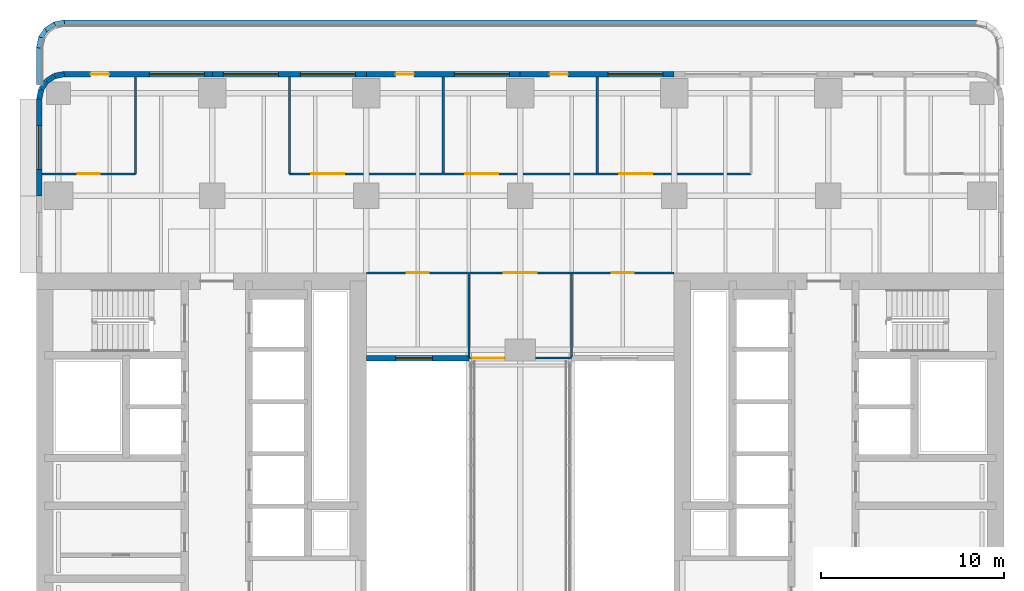
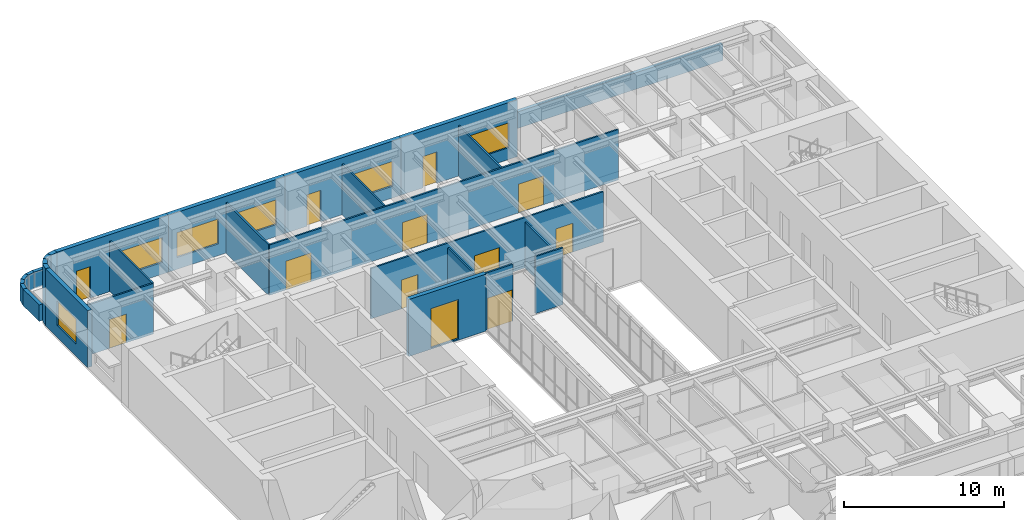
# One storey, part 11 of 17: 27 walls, 11 doors, 7 windows, 18 openings.
"""IFC4 building model written with IfcOpenShell, lengths in metres."""

from ifc_helpers import new_model, si_unit, direction, frame, frame_2d, origin, place, context, subcontext, project, spatial, rectangle, extrude, material, layer, layer_set, type_object, element, fill, save


model = new_model("IFC4")

# Units and contexts
model_context = context("Model", 3, precision=1e-05, world=origin(), true_north=direction((0.0, 1.0)))
body_context = subcontext(model_context, "Body", "Model", "MODEL_VIEW")
ifc_project = project(units=[si_unit("LENGTHUNIT", "METRE"), si_unit("AREAUNIT", "SQUARE_METRE"), si_unit("VOLUMEUNIT", "CUBIC_METRE"), si_unit("PLANEANGLEUNIT", "RADIAN"), si_unit("MASSUNIT", "GRAM", prefix="KILO")], contexts=[model_context])

# Site, building, storey
site_placement = place(None, origin())
site = spatial("IfcSite", under=ifc_project, at=site_placement, CompositionType="ELEMENT")
building_placement = place(site_placement, origin())
building = spatial("IfcBuilding", under=site, at=building_placement, Name="Claustro Exchange Tower", CompositionType="ELEMENT")
storey_placement = place(building_placement, frame((0.0, 0.0, 96.300048828125)))
storey = spatial("IfcBuildingStorey", under=building, at=storey_placement, Name="L21", CompositionType="ELEMENT", Elevation=96.300048828125)

# Wall, opening, door
ifc_material_1 = material(Name="Aluminium frame, clear double glazing", Category="aluminium")
ifc_layer_1 = layer(ifc_material_1, 0.1201171875)
ifc_layer_set_1 = layer_set([ifc_layer_1], Name="Aluminium frame, clear double glazing")
wall_type_1 = type_object("IfcWallType", Name="GS2 120 glazed bridge screen", PredefinedType="SOLIDWALL", material=ifc_layer_set_1)
wall_1_placement = place(storey_placement, frame((22.39990234375, 33.14990234375, 0.0), z_axis=(0.0, 0.0, 1.0), x_axis=(1.0, 0.0, 0.0)))
wall_1 = element("IfcWall", 1, at=wall_1_placement, inside=storey, type_object=wall_type_1, Name="Bridge screen GS2 L21", PredefinedType="SOLIDWALL", context=body_context, shape_type="SweptSolid", body=[
    extrude(rectangle(XDim=1.97509765625, YDim=0.1201171875, at=frame_2d((0.987548828125, 0.0))), origin(), (0.0, 0.0, 1.0), 4.349853515625),
])
opening_1_placement = place(wall_1_placement, frame((0.14990234375, 0.0, 0.0)))
opening_1 = element("IfcOpeningElement", 2, at=opening_1_placement, cuts=wall_1, Name="Opening DE4", PredefinedType="OPENING", context=body_context, shape_type="SweptSolid", body=[
    extrude(rectangle(XDim=1.800048828125, YDim=2.39990234375, at=frame_2d((0.89990234375, 1.199951171875))), frame((0.0, 0.070068359375, 0.0), z_axis=(0.0, -1.0, 0.0), x_axis=(1.0, 0.0, 0.0)), (0.0, 0.0, 1.0), 0.14013671875),
])
ifc_material_2 = material(Name="Aluminium frame, clear double glazing", Category="aluminium")
door_type_1 = type_object("IfcDoorType", Name="DE4 1800 x 2400 sky bridge glazed double door", OperationType="DOUBLE_DOOR_SINGLE_SWING", PredefinedType="DOOR", material=ifc_material_2)
door_1_placement = place(opening_1_placement, origin())
door_1 = element("IfcDoor", 3, at=door_1_placement, inside=storey, type_object=door_type_1, Name="Sky bridge door DE4 L21", OperationType="DOUBLE_DOOR_SINGLE_SWING", OverallHeight=2.39990234375, OverallWidth=1.800048828125, PredefinedType="DOOR", context=body_context, shape_type="SweptSolid", body=[
    extrude(rectangle(XDim=1.800048828125, YDim=2.39990234375, at=frame_2d((0.89990234375, 1.199951171875))), frame((0.0, 0.02490234375, 0.0), z_axis=(0.0, -1.0, 0.0), x_axis=(1.0, 0.0, 0.0)), (0.0, 0.0, 1.0), 0.050048828125),
])
fill(opening_1, door_1)

# Wall
wall_2_placement = place(storey_placement, frame((26.02490234375, 33.14990234375, 0.0), z_axis=(0.0, 0.0, 1.0), x_axis=(1.0, 0.0, 0.0)))
element("IfcWall", 4, at=wall_2_placement, inside=storey, type_object=wall_type_1, Name="Bridge screen GS2 L21", PredefinedType="SOLIDWALL", context=body_context, shape_type="SweptSolid", body=[
    extrude(rectangle(XDim=1.97509765625, YDim=0.1201171875, at=frame_2d((0.987548828125, 0.0))), origin(), (0.0, 0.0, 1.0), 4.349853515625),
])

# Wall, opening, door
ifc_material_3 = material(Name="Laminated glass in aluminium frame", Category="aluminium")
ifc_layer_2 = layer(ifc_material_3, 0.1201171875)
ifc_layer_set_2 = layer_set([ifc_layer_2], Name="Laminated glass in aluminium frame")
wall_type_2 = type_object("IfcWallType", Name="P2 120 glazed partition", PredefinedType="PARTITIONING", material=ifc_layer_set_2)
wall_3_placement = place(storey_placement, frame((-0.902099609375, 43.199951171875, 0.0), z_axis=(0.0, 0.0, 1.0), x_axis=(1.0, 0.0, 0.0)))
wall_3 = element("IfcWall", 5, at=wall_3_placement, inside=storey, type_object=wall_type_2, Name="Partition P2 L21", PredefinedType="PARTITIONING", context=body_context, shape_type="SweptSolid", body=[
    extrude(rectangle(XDim=5.10205078125, YDim=0.1201171875, at=frame_2d((2.551025390625, 0.0))), origin(), (0.0, 0.0, 1.0), 3.85986328125),
])
opening_2_placement = place(wall_3_placement, frame((1.951904296875, 0.0, 0.0)))
opening_2 = element("IfcOpeningElement", 6, at=opening_2_placement, cuts=wall_3, Name="Opening D6", PredefinedType="OPENING", context=body_context, shape_type="SweptSolid", body=[
    extrude(rectangle(XDim=1.199951171875, YDim=2.199951171875, at=frame_2d((0.60009765625, 1.10009765625))), frame((0.0, 0.070068359375, 0.0), z_axis=(0.0, -1.0, 0.0), x_axis=(1.0, 0.0, 0.0)), (0.0, 0.0, 1.0), 0.14013671875),
])
ifc_material_4 = material(Name="Timber door, oak veneer", Category="wood")
door_type_2 = type_object("IfcDoorType", Name="D6 1200 x 2200 unequal pair door", OperationType="DOUBLE_DOOR_SINGLE_SWING_OPPOSITE_LEFT", PredefinedType="DOOR", material=ifc_material_4)
door_2_placement = place(opening_2_placement, origin())
door_2 = element("IfcDoor", 7, at=door_2_placement, inside=storey, type_object=door_type_2, Name="Door D6 L21", OperationType="DOUBLE_DOOR_SINGLE_SWING_OPPOSITE_LEFT", OverallHeight=2.199951171875, OverallWidth=1.199951171875, PredefinedType="DOOR", context=body_context, shape_type="SweptSolid", body=[
    extrude(rectangle(XDim=1.199951171875, YDim=2.199951171875, at=frame_2d((0.60009765625, 1.10009765625))), frame((0.0, 0.02490234375, 0.0), z_axis=(0.0, -1.0, 0.0), x_axis=(1.0, 0.0, 0.0)), (0.0, 0.0, 1.0), 0.050048828125),
])
fill(opening_2, door_2)

# Wall
wall_4_placement = place(storey_placement, frame((4.199951171875, 43.199951171875, 0.0), z_axis=(0.0, 0.0, 1.0), x_axis=(0.0, 1.0, 0.0)))
element("IfcWall", 8, at=wall_4_placement, inside=storey, type_object=wall_type_2, Name="Partition P2 L21", PredefinedType="PARTITIONING", context=body_context, shape_type="SweptSolid", body=[
    extrude(rectangle(XDim=5.302001953125, YDim=0.1201171875, at=frame_2d((2.65087890625, 0.0))), origin(), (0.0, 0.0, 1.0), 3.85986328125),
])

# Wall, openings, doors
wall_5_placement = place(storey_placement, frame((12.60009765625, 43.199951171875, 0.0), z_axis=(0.0, 0.0, 1.0), x_axis=(1.0, 0.0, 0.0)))
wall_5 = element("IfcWall", 9, at=wall_5_placement, inside=storey, type_object=wall_type_2, Name="Partition P2 L21", PredefinedType="PARTITIONING", context=body_context, shape_type="SweptSolid", body=[
    extrude(rectangle(XDim=25.199951171875, YDim=0.1201171875, at=frame_2d((12.60009765625, 0.0))), origin(), (0.0, 0.0, 1.0), 3.849853515625),
])
opening_3_placement = place(wall_5_placement, frame((1.199951171875, 0.0, 0.0)))
opening_3 = element("IfcOpeningElement", 10, at=opening_3_placement, cuts=wall_5, Name="Opening D2", PredefinedType="OPENING", context=body_context, shape_type="SweptSolid", body=[
    extrude(rectangle(XDim=1.800048828125, YDim=2.199951171875, at=frame_2d((0.89990234375, 1.10009765625))), frame((0.0, 0.070068359375, 0.0), z_axis=(0.0, -1.0, 0.0), x_axis=(1.0, 0.0, 0.0)), (0.0, 0.0, 1.0), 0.14013671875),
])
opening_4_placement = place(wall_5_placement, frame((9.60009765625, 0.0, 0.0)))
opening_4 = element("IfcOpeningElement", 11, at=opening_4_placement, cuts=wall_5, Name="Opening D2", PredefinedType="OPENING", context=body_context, shape_type="SweptSolid", body=[
    extrude(rectangle(XDim=1.800048828125, YDim=2.199951171875, at=frame_2d((0.89990234375, 1.10009765625))), frame((0.0, 0.070068359375, 0.0), z_axis=(0.0, -1.0, 0.0), x_axis=(1.0, 0.0, 0.0)), (0.0, 0.0, 1.0), 0.14013671875),
])
opening_5_placement = place(wall_5_placement, frame((18.0, 0.0, 0.0)))
opening_5 = element("IfcOpeningElement", 12, at=opening_5_placement, cuts=wall_5, Name="Opening D2", PredefinedType="OPENING", context=body_context, shape_type="SweptSolid", body=[
    extrude(rectangle(XDim=1.800048828125, YDim=2.199951171875, at=frame_2d((0.89990234375, 1.10009765625))), frame((0.0, 0.070068359375, 0.0), z_axis=(0.0, -1.0, 0.0), x_axis=(1.0, 0.0, 0.0)), (0.0, 0.0, 1.0), 0.14013671875),
])
ifc_material_5 = material(Name="Timber door, oak veneer", Category="wood")
door_type_3 = type_object("IfcDoorType", Name="D2 1800 x 2200 double door", OperationType="DOUBLE_DOOR_SINGLE_SWING", PredefinedType="DOOR", material=ifc_material_5)
door_3_placement = place(opening_3_placement, origin())
door_3 = element("IfcDoor", 13, at=door_3_placement, inside=storey, type_object=door_type_3, Name="Double door D2 L21", OperationType="DOUBLE_DOOR_SINGLE_SWING", OverallHeight=2.199951171875, OverallWidth=1.800048828125, PredefinedType="DOOR", context=body_context, shape_type="SweptSolid", body=[
    extrude(rectangle(XDim=1.800048828125, YDim=2.199951171875, at=frame_2d((0.89990234375, 1.10009765625))), frame((0.0, 0.02490234375, 0.0), z_axis=(0.0, -1.0, 0.0), x_axis=(1.0, 0.0, 0.0)), (0.0, 0.0, 1.0), 0.050048828125),
])
fill(opening_3, door_3)
door_4_placement = place(opening_4_placement, origin())
door_4 = element("IfcDoor", 14, at=door_4_placement, inside=storey, type_object=door_type_3, Name="Double door D2 L21", OperationType="DOUBLE_DOOR_SINGLE_SWING", OverallHeight=2.199951171875, OverallWidth=1.800048828125, PredefinedType="DOOR", context=body_context, shape_type="SweptSolid", body=[
    extrude(rectangle(XDim=1.800048828125, YDim=2.199951171875, at=frame_2d((0.89990234375, 1.10009765625))), frame((0.0, 0.02490234375, 0.0), z_axis=(0.0, -1.0, 0.0), x_axis=(1.0, 0.0, 0.0)), (0.0, 0.0, 1.0), 0.050048828125),
])
fill(opening_4, door_4)
door_5_placement = place(opening_5_placement, origin())
door_5 = element("IfcDoor", 15, at=door_5_placement, inside=storey, type_object=door_type_3, Name="Double door D2 L21", OperationType="DOUBLE_DOOR_SINGLE_SWING", OverallHeight=2.199951171875, OverallWidth=1.800048828125, PredefinedType="DOOR", context=body_context, shape_type="SweptSolid", body=[
    extrude(rectangle(XDim=1.800048828125, YDim=2.199951171875, at=frame_2d((0.89990234375, 1.10009765625))), frame((0.0, 0.02490234375, 0.0), z_axis=(0.0, -1.0, 0.0), x_axis=(1.0, 0.0, 0.0)), (0.0, 0.0, 1.0), 0.050048828125),
])
fill(opening_5, door_5)

# Walls
wall_6_placement = place(storey_placement, frame((12.60009765625, 43.199951171875, 0.0), z_axis=(0.0, 0.0, 1.0), x_axis=(0.0, 1.0, 0.0)))
element("IfcWall", 16, at=wall_6_placement, inside=storey, type_object=wall_type_2, Name="Partition P2 L21", PredefinedType="PARTITIONING", context=body_context, shape_type="SweptSolid", body=[
    extrude(rectangle(XDim=5.302001953125, YDim=0.1201171875, at=frame_2d((2.65087890625, 0.0))), origin(), (0.0, 0.0, 1.0), 3.85986328125),
])
for number, where, z_axis, x_axis, name in (
    (17, (21.0, 43.258056640625, 0.0), (0.0, 0.0, 1.0), (0.0, 1.0, 0.0), "Partition P2 L21"),
    (18, (29.39990234375, 43.258056640625, 0.0), (0.0, 0.0, 1.0), (0.0, 1.0, 0.0), "Partition P2 L21"),
):
    element("IfcWall", number, at=place(storey_placement, frame(where, z_axis=z_axis, x_axis=x_axis)), inside=storey, type_object=wall_type_2, Name=name, PredefinedType="PARTITIONING", context=body_context, shape_type="SweptSolid", body=[
        extrude(rectangle(XDim=5.243896484375, YDim=0.1201171875, at=frame_2d((2.6220703125, 0.0))), origin(), (0.0, 0.0, 1.0), 3.85986328125),
    ])

# Wall, openings, doors
wall_7_placement = place(storey_placement, frame((16.798095703125, 37.800048828125, 0.0), z_axis=(0.0, 0.0, 1.0), x_axis=(1.0, 0.0, 0.0)))
wall_7 = element("IfcWall", 19, at=wall_7_placement, inside=storey, type_object=wall_type_2, Name="Partition P2 L21", PredefinedType="PARTITIONING", context=body_context, shape_type="SweptSolid", body=[
    extrude(rectangle(XDim=16.803955078125, YDim=0.1201171875, at=frame_2d((8.40185546875, 0.0))), origin(), (0.0, 0.0, 1.0), 3.849853515625),
])
opening_6_placement = place(wall_7_placement, frame((2.201904296875, 0.0, 0.0)))
opening_6 = element("IfcOpeningElement", 20, at=opening_6_placement, cuts=wall_7, Name="Opening D6", PredefinedType="OPENING", context=body_context, shape_type="SweptSolid", body=[
    extrude(rectangle(XDim=1.199951171875, YDim=2.199951171875, at=frame_2d((0.60009765625, 1.10009765625))), frame((0.0, 0.070068359375, 0.0), z_axis=(0.0, -1.0, 0.0), x_axis=(1.0, 0.0, 0.0)), (0.0, 0.0, 1.0), 0.14013671875),
])
opening_7_placement = place(wall_7_placement, frame((7.501953125, 0.0, 0.0)))
opening_7 = element("IfcOpeningElement", 21, at=opening_7_placement, cuts=wall_7, Name="Opening D2", PredefinedType="OPENING", context=body_context, shape_type="SweptSolid", body=[
    extrude(rectangle(XDim=1.800048828125, YDim=2.199951171875, at=frame_2d((0.89990234375, 1.10009765625))), frame((0.0, 0.070068359375, 0.0), z_axis=(0.0, -1.0, 0.0), x_axis=(1.0, 0.0, 0.0)), (0.0, 0.0, 1.0), 0.14013671875),
])
opening_8_placement = place(wall_7_placement, frame((13.402099609375, 0.0, 0.0)))
opening_8 = element("IfcOpeningElement", 22, at=opening_8_placement, cuts=wall_7, Name="Opening D6", PredefinedType="OPENING", context=body_context, shape_type="SweptSolid", body=[
    extrude(rectangle(XDim=1.199951171875, YDim=2.199951171875, at=frame_2d((0.60009765625, 1.10009765625))), frame((0.0, 0.070068359375, 0.0), z_axis=(0.0, -1.0, 0.0), x_axis=(1.0, 0.0, 0.0)), (0.0, 0.0, 1.0), 0.14013671875),
])
door_6_placement = place(opening_7_placement, origin())
door_6 = element("IfcDoor", 23, at=door_6_placement, inside=storey, type_object=door_type_3, Name="Double door D2 L21", OperationType="DOUBLE_DOOR_SINGLE_SWING", OverallHeight=2.199951171875, OverallWidth=1.800048828125, PredefinedType="DOOR", context=body_context, shape_type="SweptSolid", body=[
    extrude(rectangle(XDim=1.800048828125, YDim=2.199951171875, at=frame_2d((0.89990234375, 1.10009765625))), frame((0.0, 0.02490234375, 0.0), z_axis=(0.0, -1.0, 0.0), x_axis=(1.0, 0.0, 0.0)), (0.0, 0.0, 1.0), 0.050048828125),
])
fill(opening_7, door_6)
door_7_placement = place(opening_6_placement, origin())
door_7 = element("IfcDoor", 24, at=door_7_placement, inside=storey, type_object=door_type_2, Name="Door D6 L21", OperationType="DOUBLE_DOOR_SINGLE_SWING_OPPOSITE_LEFT", OverallHeight=2.199951171875, OverallWidth=1.199951171875, PredefinedType="DOOR", context=body_context, shape_type="SweptSolid", body=[
    extrude(rectangle(XDim=1.199951171875, YDim=2.199951171875, at=frame_2d((0.60009765625, 1.10009765625))), frame((0.0, 0.02490234375, 0.0), z_axis=(0.0, -1.0, 0.0), x_axis=(1.0, 0.0, 0.0)), (0.0, 0.0, 1.0), 0.050048828125),
])
fill(opening_6, door_7)
door_8_placement = place(opening_8_placement, origin())
door_8 = element("IfcDoor", 25, at=door_8_placement, inside=storey, type_object=door_type_2, Name="Door D6 L21", OperationType="DOUBLE_DOOR_SINGLE_SWING_OPPOSITE_LEFT", OverallHeight=2.199951171875, OverallWidth=1.199951171875, PredefinedType="DOOR", context=body_context, shape_type="SweptSolid", body=[
    extrude(rectangle(XDim=1.199951171875, YDim=2.199951171875, at=frame_2d((0.60009765625, 1.10009765625))), frame((0.0, 0.02490234375, 0.0), z_axis=(0.0, -1.0, 0.0), x_axis=(1.0, 0.0, 0.0)), (0.0, 0.0, 1.0), 0.050048828125),
])
fill(opening_8, door_8)

# Walls
for number, where, z_axis, x_axis, name in (
    (26, (22.39990234375, 33.2080078125, 0.0), (0.0, 0.0, 1.0), (0.0, 1.0, 0.0), "Partition P2 L21"),
    (27, (28.0, 33.2080078125, 0.0), (0.0, 0.0, 1.0), (0.0, 1.0, 0.0), "Partition P2 L21"),
):
    element("IfcWall", number, at=place(storey_placement, frame(where, z_axis=z_axis, x_axis=x_axis)), inside=storey, type_object=wall_type_2, Name=name, PredefinedType="PARTITIONING", context=body_context, shape_type="SweptSolid", body=[
        extrude(rectangle(XDim=4.533935546875, YDim=0.1201171875, at=frame_2d((2.26708984375, 0.0))), origin(), (0.0, 0.0, 1.0), 3.5),
    ])

# Wall, opening, window
ifc_material_6 = material(Name="Concrete HA-40 (C40/50), precast, white cement, acid-etched", Category="concrete")
ifc_layer_3 = layer(ifc_material_6, 0.300048828125)
ifc_layer_set_3 = layer_set([ifc_layer_3], Name="Concrete HA-40 (C40/50), precast, white cement, acid-etched")
wall_type_3 = type_object("IfcWallType", Name="PC1 300 precast concrete pier panel", PredefinedType="SOLIDWALL", material=ifc_layer_set_3)
wall_8_placement = place(storey_placement, frame((-1.050048828125, 42.0, 0.0), z_axis=(0.0, 0.0, 1.0), x_axis=(0.0, 1.0, 0.0)))
wall_8 = element("IfcWall", 28, at=wall_8_placement, inside=storey, type_object=wall_type_3, Name="Precast pier panel PC1 L21", PredefinedType="SOLIDWALL", context=body_context, shape_type="SweptSolid", body=[
    extrude(rectangle(XDim=5.28515625, YDim=0.300048828125, at=frame_2d((2.642578125, 0.0))), origin(), (0.0, 0.0, 1.0), 4.349853515625),
])
opening_9_placement = place(wall_8_placement, frame((1.442626953125, 0.0, 0.89990234375)))
opening_9 = element("IfcOpeningElement", 29, at=opening_9_placement, cuts=wall_8, Name="Opening W2", PredefinedType="OPENING", context=body_context, shape_type="SweptSolid", body=[
    extrude(rectangle(XDim=2.39990234375, YDim=1.89990234375, at=frame_2d((1.199951171875, 0.949951171875))), frame((0.0, 0.159912109375, 0.0), z_axis=(0.0, -1.0, 0.0), x_axis=(1.0, 0.0, 0.0)), (0.0, 0.0, 1.0), 0.320068359375),
])
ifc_material_7 = material(Name="Aluminium frame, clear double glazing", Category="aluminium")
window_type_1 = type_object("IfcWindowType", Name="W2 2400 x 1900 window", PartitioningType="SINGLE_PANEL", PredefinedType="WINDOW", material=ifc_material_7)
window_1_placement = place(opening_9_placement, origin())
window_1 = element("IfcWindow", 30, at=window_1_placement, inside=storey, type_object=window_type_1, Name="Window W2 L21", OverallHeight=1.89990234375, OverallWidth=2.39990234375, PartitioningType="SINGLE_PANEL", PredefinedType="WINDOW", context=body_context, shape_type="SweptSolid", body=[
    extrude(rectangle(XDim=2.39990234375, YDim=1.89990234375, at=frame_2d((1.199951171875, 0.949951171875))), frame((0.0, 0.030029296875, 0.0), z_axis=(0.0, -1.0, 0.0), x_axis=(1.0, 0.0, 0.0)), (0.0, 0.0, 1.0), 0.06005859375),
])
fill(opening_9, window_1)

# Walls
wall_9_placement = place(storey_placement, frame((-1.050048828125, 47.28515625, 0.0), z_axis=(0.0, 0.0, 1.0), x_axis=(0.195073962632, 0.980788534345, 0.0)))
element("IfcWall", 31, at=wall_9_placement, inside=storey, type_object=wall_type_3, Name="Precast pier panel PC1 L21", PredefinedType="SOLIDWALL", context=body_context, shape_type="SweptSolid", body=[
    extrude(rectangle(XDim=0.540771484375, YDim=0.300048828125, at=frame_2d((0.2705078125, 0.0))), origin(), (0.0, 0.0, 1.0), 4.349853515625),
])
wall_10_placement = place(storey_placement, frame((-0.944580078125, 47.8154296875, 0.0), z_axis=(0.0, 0.0, 1.0), x_axis=(0.55534295404, 0.831621430339, 0.0)))
element("IfcWall", 32, at=wall_10_placement, inside=storey, type_object=wall_type_3, Name="Precast pier panel PC1 L21", PredefinedType="SOLIDWALL", context=body_context, shape_type="SweptSolid", body=[
    extrude(rectangle(XDim=0.52587890625, YDim=0.300048828125, at=frame_2d((0.262939453125, 0.0))), origin(), (0.0, 0.0, 1.0), 4.349853515625),
])
wall_11_placement = place(storey_placement, frame((-0.652587890625, 48.252685546875, 0.0), z_axis=(0.0, 0.0, 1.0), x_axis=(0.831692711774, 0.555236195849, 0.0)))
element("IfcWall", 33, at=wall_11_placement, inside=storey, type_object=wall_type_3, Name="Precast pier panel PC1 L21", PredefinedType="SOLIDWALL", context=body_context, shape_type="SweptSolid", body=[
    extrude(rectangle(XDim=0.525390625, YDim=0.300048828125, at=frame_2d((0.2626953125, 0.0))), origin(), (0.0, 0.0, 1.0), 4.349853515625),
])
wall_12_placement = place(storey_placement, frame((-0.215576171875, 48.54443359375, 0.0), z_axis=(0.0, 0.0, 1.0), x_axis=(0.980788534345, 0.195073962632, 0.0)))
element("IfcWall", 34, at=wall_12_placement, inside=storey, type_object=wall_type_3, Name="Precast pier panel PC1 L21", PredefinedType="SOLIDWALL", context=body_context, shape_type="SweptSolid", body=[
    extrude(rectangle(XDim=0.540771484375, YDim=0.300048828125, at=frame_2d((0.2705078125, 0.0))), origin(), (0.0, 0.0, 1.0), 4.349853515625),
])

# Wall, openings, door, window
wall_13_placement = place(storey_placement, frame((0.314697265625, 48.64990234375, 0.0), z_axis=(0.0, 0.0, 1.0), x_axis=(1.0, 0.0, 0.0)))
wall_13 = element("IfcWall", 35, at=wall_13_placement, inside=storey, type_object=wall_type_3, Name="Precast pier panel PC1 L21", PredefinedType="SOLIDWALL", context=body_context, shape_type="SweptSolid", body=[
    extrude(rectangle(XDim=8.085205078125, YDim=0.300048828125, at=frame_2d((4.04248046875, 0.0))), origin(), (0.0, 0.0, 1.0), 4.349853515625),
])
opening_10_placement = place(wall_13_placement, frame((4.642578125, 0.0, 0.89990234375)))
opening_10 = element("IfcOpeningElement", 36, at=opening_10_placement, cuts=wall_13, Name="Opening W1", PredefinedType="OPENING", context=body_context, shape_type="SweptSolid", body=[
    extrude(rectangle(XDim=3.0, YDim=1.89990234375, at=frame_2d((1.5, 0.949951171875))), frame((0.0, 0.159912109375, 0.0), z_axis=(0.0, -1.0, 0.0), x_axis=(1.0, 0.0, 0.0)), (0.0, 0.0, 1.0), 0.320068359375),
])
opening_11_placement = place(wall_13_placement, frame((1.442626953125, 0.0, 0.0)))
opening_11 = element("IfcOpeningElement", 37, at=opening_11_placement, cuts=wall_13, Name="Opening D-T", PredefinedType="OPENING", context=body_context, shape_type="SweptSolid", body=[
    extrude(rectangle(XDim=1.0, YDim=2.39990234375, at=frame_2d((0.5, 1.199951171875))), frame((0.0, 0.159912109375, 0.0), z_axis=(0.0, -1.0, 0.0), x_axis=(1.0, 0.0, 0.0)), (0.0, 0.0, 1.0), 0.320068359375),
])
ifc_material_8 = material(Name="Aluminium frame, clear double glazing", Category="aluminium")
door_type_4 = type_object("IfcDoorType", Name="D-T 1000 x 2400 terrace door", OperationType="SINGLE_SWING_LEFT", PredefinedType="DOOR", material=ifc_material_8)
door_9_placement = place(opening_11_placement, origin())
door_9 = element("IfcDoor", 38, at=door_9_placement, inside=storey, type_object=door_type_4, Name="Terrace door D-T L21", OperationType="SINGLE_SWING_LEFT", OverallHeight=2.39990234375, OverallWidth=1.0, PredefinedType="DOOR", context=body_context, shape_type="SweptSolid", body=[
    extrude(rectangle(XDim=1.0, YDim=2.39990234375, at=frame_2d((0.5, 1.199951171875))), frame((0.0, 0.02490234375, 0.0), z_axis=(0.0, -1.0, 0.0), x_axis=(1.0, 0.0, 0.0)), (0.0, 0.0, 1.0), 0.050048828125),
])
fill(opening_11, door_9)
ifc_material_9 = material(Name="Aluminium frame, clear double glazing", Category="aluminium")
window_type_2 = type_object("IfcWindowType", Name="W1 3000 x 1900 window", PartitioningType="SINGLE_PANEL", PredefinedType="WINDOW", material=ifc_material_9)
window_2_placement = place(opening_10_placement, origin())
window_2 = element("IfcWindow", 39, at=window_2_placement, inside=storey, type_object=window_type_2, Name="Window W1 L21", OverallHeight=1.89990234375, OverallWidth=3.0, PartitioningType="SINGLE_PANEL", PredefinedType="WINDOW", context=body_context, shape_type="SweptSolid", body=[
    extrude(rectangle(XDim=3.0, YDim=1.89990234375, at=frame_2d((1.5, 0.949951171875))), frame((0.0, 0.030029296875, 0.0), z_axis=(0.0, -1.0, 0.0), x_axis=(1.0, 0.0, 0.0)), (0.0, 0.0, 1.0), 0.06005859375),
])
fill(opening_10, window_2)

# Wall, openings, windows
wall_14_placement = place(storey_placement, frame((8.39990234375, 48.64990234375, 0.0), z_axis=(0.0, 0.0, 1.0), x_axis=(1.0, 0.0, 0.0)))
wall_14 = element("IfcWall", 40, at=wall_14_placement, inside=storey, type_object=wall_type_3, Name="Precast pier panel PC1 L21", PredefinedType="SOLIDWALL", context=body_context, shape_type="SweptSolid", body=[
    extrude(rectangle(XDim=8.400146484375, YDim=0.300048828125, at=frame_2d((4.2001953125, 0.0))), origin(), (0.0, 0.0, 1.0), 4.349853515625),
])
opening_12_placement = place(wall_14_placement, frame((0.60009765625, 0.0, 0.89990234375)))
opening_12 = element("IfcOpeningElement", 41, at=opening_12_placement, cuts=wall_14, Name="Opening W1", PredefinedType="OPENING", context=body_context, shape_type="SweptSolid", body=[
    extrude(rectangle(XDim=3.0, YDim=1.89990234375, at=frame_2d((1.5, 0.949951171875))), frame((0.0, 0.159912109375, 0.0), z_axis=(0.0, -1.0, 0.0), x_axis=(1.0, 0.0, 0.0)), (0.0, 0.0, 1.0), 0.320068359375),
])
opening_13_placement = place(wall_14_placement, frame((4.800048828125, 0.0, 0.89990234375)))
opening_13 = element("IfcOpeningElement", 42, at=opening_13_placement, cuts=wall_14, Name="Opening W1", PredefinedType="OPENING", context=body_context, shape_type="SweptSolid", body=[
    extrude(rectangle(XDim=3.0, YDim=1.89990234375, at=frame_2d((1.5, 0.949951171875))), frame((0.0, 0.159912109375, 0.0), z_axis=(0.0, -1.0, 0.0), x_axis=(1.0, 0.0, 0.0)), (0.0, 0.0, 1.0), 0.320068359375),
])
window_3_placement = place(opening_12_placement, origin())
window_3 = element("IfcWindow", 43, at=window_3_placement, inside=storey, type_object=window_type_2, Name="Window W1 L21", OverallHeight=1.89990234375, OverallWidth=3.0, PartitioningType="SINGLE_PANEL", PredefinedType="WINDOW", context=body_context, shape_type="SweptSolid", body=[
    extrude(rectangle(XDim=3.0, YDim=1.89990234375, at=frame_2d((1.5, 0.949951171875))), frame((0.0, 0.030029296875, 0.0), z_axis=(0.0, -1.0, 0.0), x_axis=(1.0, 0.0, 0.0)), (0.0, 0.0, 1.0), 0.06005859375),
])
fill(opening_12, window_3)
window_4_placement = place(opening_13_placement, origin())
window_4 = element("IfcWindow", 44, at=window_4_placement, inside=storey, type_object=window_type_2, Name="Window W1 L21", OverallHeight=1.89990234375, OverallWidth=3.0, PartitioningType="SINGLE_PANEL", PredefinedType="WINDOW", context=body_context, shape_type="SweptSolid", body=[
    extrude(rectangle(XDim=3.0, YDim=1.89990234375, at=frame_2d((1.5, 0.949951171875))), frame((0.0, 0.030029296875, 0.0), z_axis=(0.0, -1.0, 0.0), x_axis=(1.0, 0.0, 0.0)), (0.0, 0.0, 1.0), 0.06005859375),
])
fill(opening_13, window_4)

# Wall, openings, door, window
wall_15_placement = place(storey_placement, frame((16.800048828125, 48.64990234375, 0.0), z_axis=(0.0, 0.0, 1.0), x_axis=(1.0, 0.0, 0.0)))
wall_15 = element("IfcWall", 45, at=wall_15_placement, inside=storey, type_object=wall_type_3, Name="Precast pier panel PC1 L21", PredefinedType="SOLIDWALL", context=body_context, shape_type="SweptSolid", body=[
    extrude(rectangle(XDim=8.39990234375, YDim=0.300048828125, at=frame_2d((4.199951171875, 0.0))), origin(), (0.0, 0.0, 1.0), 4.349853515625),
])
opening_14_placement = place(wall_15_placement, frame((4.800048828125, 0.0, 0.89990234375)))
opening_14 = element("IfcOpeningElement", 46, at=opening_14_placement, cuts=wall_15, Name="Opening W1", PredefinedType="OPENING", context=body_context, shape_type="SweptSolid", body=[
    extrude(rectangle(XDim=3.0, YDim=1.89990234375, at=frame_2d((1.5, 0.949951171875))), frame((0.0, 0.159912109375, 0.0), z_axis=(0.0, -1.0, 0.0), x_axis=(1.0, 0.0, 0.0)), (0.0, 0.0, 1.0), 0.320068359375),
])
opening_15_placement = place(wall_15_placement, frame((1.60009765625, 0.0, 0.0)))
opening_15 = element("IfcOpeningElement", 47, at=opening_15_placement, cuts=wall_15, Name="Opening D-T", PredefinedType="OPENING", context=body_context, shape_type="SweptSolid", body=[
    extrude(rectangle(XDim=1.0, YDim=2.39990234375, at=frame_2d((0.5, 1.199951171875))), frame((0.0, 0.159912109375, 0.0), z_axis=(0.0, -1.0, 0.0), x_axis=(1.0, 0.0, 0.0)), (0.0, 0.0, 1.0), 0.320068359375),
])
door_10_placement = place(opening_15_placement, origin())
door_10 = element("IfcDoor", 48, at=door_10_placement, inside=storey, type_object=door_type_4, Name="Terrace door D-T L21", OperationType="SINGLE_SWING_LEFT", OverallHeight=2.39990234375, OverallWidth=1.0, PredefinedType="DOOR", context=body_context, shape_type="SweptSolid", body=[
    extrude(rectangle(XDim=1.0, YDim=2.39990234375, at=frame_2d((0.5, 1.199951171875))), frame((0.0, 0.02490234375, 0.0), z_axis=(0.0, -1.0, 0.0), x_axis=(1.0, 0.0, 0.0)), (0.0, 0.0, 1.0), 0.050048828125),
])
fill(opening_15, door_10)
window_5_placement = place(opening_14_placement, origin())
window_5 = element("IfcWindow", 49, at=window_5_placement, inside=storey, type_object=window_type_2, Name="Window W1 L21", OverallHeight=1.89990234375, OverallWidth=3.0, PartitioningType="SINGLE_PANEL", PredefinedType="WINDOW", context=body_context, shape_type="SweptSolid", body=[
    extrude(rectangle(XDim=3.0, YDim=1.89990234375, at=frame_2d((1.5, 0.949951171875))), frame((0.0, 0.030029296875, 0.0), z_axis=(0.0, -1.0, 0.0), x_axis=(1.0, 0.0, 0.0)), (0.0, 0.0, 1.0), 0.06005859375),
])
fill(opening_14, window_5)

wall_16_placement = place(storey_placement, frame((25.199951171875, 48.64990234375, 0.0), z_axis=(0.0, 0.0, 1.0), x_axis=(1.0, 0.0, 0.0)))
wall_16 = element("IfcWall", 50, at=wall_16_placement, inside=storey, type_object=wall_type_3, Name="Precast pier panel PC1 L21", PredefinedType="SOLIDWALL", context=body_context, shape_type="SweptSolid", body=[
    extrude(rectangle(XDim=8.400146484375, YDim=0.300048828125, at=frame_2d((4.2001953125, 0.0))), origin(), (0.0, 0.0, 1.0), 4.349853515625),
])
opening_16_placement = place(wall_16_placement, frame((4.800048828125, 0.0, 0.89990234375)))
opening_16 = element("IfcOpeningElement", 51, at=opening_16_placement, cuts=wall_16, Name="Opening W1", PredefinedType="OPENING", context=body_context, shape_type="SweptSolid", body=[
    extrude(rectangle(XDim=3.0, YDim=1.89990234375, at=frame_2d((1.5, 0.949951171875))), frame((0.0, 0.159912109375, 0.0), z_axis=(0.0, -1.0, 0.0), x_axis=(1.0, 0.0, 0.0)), (0.0, 0.0, 1.0), 0.320068359375),
])
opening_17_placement = place(wall_16_placement, frame((1.60009765625, 0.0, 0.0)))
opening_17 = element("IfcOpeningElement", 52, at=opening_17_placement, cuts=wall_16, Name="Opening D-T", PredefinedType="OPENING", context=body_context, shape_type="SweptSolid", body=[
    extrude(rectangle(XDim=1.0, YDim=2.39990234375, at=frame_2d((0.5, 1.199951171875))), frame((0.0, 0.159912109375, 0.0), z_axis=(0.0, -1.0, 0.0), x_axis=(1.0, 0.0, 0.0)), (0.0, 0.0, 1.0), 0.320068359375),
])
door_11_placement = place(opening_17_placement, origin())
door_11 = element("IfcDoor", 53, at=door_11_placement, inside=storey, type_object=door_type_4, Name="Terrace door D-T L21", OperationType="SINGLE_SWING_RIGHT", OverallHeight=2.39990234375, OverallWidth=1.0, PredefinedType="DOOR", context=body_context, shape_type="SweptSolid", body=[
    extrude(rectangle(XDim=1.0, YDim=2.39990234375, at=frame_2d((0.5, 1.199951171875))), frame((0.0, 0.02490234375, 0.0), z_axis=(0.0, -1.0, 0.0), x_axis=(1.0, 0.0, 0.0)), (0.0, 0.0, 1.0), 0.050048828125),
])
fill(opening_17, door_11)
window_6_placement = place(opening_16_placement, origin())
window_6 = element("IfcWindow", 54, at=window_6_placement, inside=storey, type_object=window_type_2, Name="Window W1 L21", OverallHeight=1.89990234375, OverallWidth=3.0, PartitioningType="SINGLE_PANEL", PredefinedType="WINDOW", context=body_context, shape_type="SweptSolid", body=[
    extrude(rectangle(XDim=3.0, YDim=1.89990234375, at=frame_2d((1.5, 0.949951171875))), frame((0.0, 0.030029296875, 0.0), z_axis=(0.0, -1.0, 0.0), x_axis=(1.0, 0.0, 0.0)), (0.0, 0.0, 1.0), 0.06005859375),
])
fill(opening_16, window_6)

# Wall, opening, window
wall_17_placement = place(storey_placement, frame((16.800048828125, 33.14990234375, 0.0), z_axis=(0.0, 0.0, 1.0), x_axis=(1.0, 0.0, 0.0)))
wall_17 = element("IfcWall", 55, at=wall_17_placement, inside=storey, type_object=wall_type_3, Name="Precast pier panel PC1 L21", PredefinedType="SOLIDWALL", context=body_context, shape_type="SweptSolid", body=[
    extrude(rectangle(XDim=5.599853515625, YDim=0.300048828125, at=frame_2d((2.7998046875, 0.0))), origin(), (0.0, 0.0, 1.0), 4.349853515625),
])
opening_18_placement = place(wall_17_placement, frame((1.60009765625, 0.0, 0.10009765625)))
opening_18 = element("IfcOpeningElement", 56, at=opening_18_placement, cuts=wall_17, Name="Opening W-A", PredefinedType="OPENING", context=body_context, shape_type="SweptSolid", body=[
    extrude(rectangle(XDim=2.0, YDim=3.0, at=frame_2d((1.0, 1.5))), frame((0.0, 0.159912109375, 0.0), z_axis=(0.0, -1.0, 0.0), x_axis=(1.0, 0.0, 0.0)), (0.0, 0.0, 1.0), 0.320068359375),
])
ifc_material_10 = material(Name="Aluminium frame, clear double glazing", Category="aluminium")
window_type_3 = type_object("IfcWindowType", Name="W-A 2000 x 3000 arcade window", PartitioningType="SINGLE_PANEL", PredefinedType="WINDOW", material=ifc_material_10)
window_7_placement = place(opening_18_placement, origin())
window_7 = element("IfcWindow", 57, at=window_7_placement, inside=storey, type_object=window_type_3, Name="Window W-A L21", OverallHeight=3.0, OverallWidth=2.0, PartitioningType="SINGLE_PANEL", PredefinedType="WINDOW", context=body_context, shape_type="SweptSolid", body=[
    extrude(rectangle(XDim=2.0, YDim=3.0, at=frame_2d((1.0, 1.5))), frame((0.0, 0.030029296875, 0.0), z_axis=(0.0, -1.0, 0.0), x_axis=(1.0, 0.0, 0.0)), (0.0, 0.0, 1.0), 0.06005859375),
])
fill(opening_18, window_7)

# Walls
ifc_material_11 = material(Name="Concrete HA-40 (C40/50), precast, white cement, acid-etched", Category="concrete")
ifc_layer_4 = layer(ifc_material_11, 0.25)
ifc_layer_set_4 = layer_set([ifc_layer_4], Name="Concrete HA-40 (C40/50), precast, white cement, acid-etched")
wall_type_4 = type_object("IfcWallType", Name="PP1 250 precast concrete parapet", PredefinedType="PARAPET", material=ifc_layer_set_4)
wall_18_placement = place(storey_placement, frame((-0.98193359375, 50.6044921875, -0.16015625), z_axis=(0.0, 0.0, 1.0), x_axis=(0.555469840741, 0.831536683512, 0.0)))
element("IfcWall", 58, at=wall_18_placement, inside=storey, type_object=wall_type_4, Name="Parapet PP1 roof at +96.140", PredefinedType="PARAPET", context=body_context, shape_type="SweptSolid", body=[
    extrude(rectangle(XDim=0.58544921875, YDim=0.25, at=frame_2d((0.292724609375, 0.0))), origin(), (0.0, 0.0, 1.0), 1.260009765625),
])
for number, where, z_axis, x_axis, name in (
    (59, (-0.69140625, 51.056884765625, -0.16015625), (0.0, 0.0, 1.0), (0.831729296682, 0.555181391115, 0.0), "Parapet PP1 roof at +96.140"),
    (60, (-0.24951171875, 51.36328125, -0.16015625), (0.0, 0.0, 1.0), (0.980836573739, 0.1948322756, 0.0), "Parapet PP1 roof at +96.140"),
):
    element("IfcWall", number, at=place(storey_placement, frame(where, z_axis=z_axis, x_axis=x_axis)), inside=storey, type_object=wall_type_4, Name=name, PredefinedType="PARAPET", context=body_context, shape_type="SweptSolid", body=[
        extrude(rectangle(XDim=0.585205078125, YDim=0.25, at=frame_2d((0.29248046875, 0.0))), origin(), (0.0, 0.0, 1.0), 1.260009765625),
    ])
wall_19_placement = place(storey_placement, frame((0.300048828125, 51.47509765625, -0.16015625), z_axis=(0.0, 0.0, 1.0), x_axis=(1.0, 0.0, 0.0)))
element("IfcWall", 61, at=wall_19_placement, inside=storey, type_object=wall_type_4, Name="Parapet PP1 roof at +96.140", PredefinedType="PARAPET", context=body_context, shape_type="SweptSolid", body=[
    extrude(rectangle(XDim=49.800048828125, YDim=0.25, at=frame_2d((24.89990234375, 0.0))), origin(), (0.0, 0.0, 1.0), 1.260009765625),
])
wall_20_placement = place(storey_placement, frame((-1.074951171875, 48.076904296875, -0.16015625), z_axis=(0.0, 0.0, 1.0), x_axis=(0.0, 1.0, 0.0)))
element("IfcWall", 62, at=wall_20_placement, inside=storey, type_object=wall_type_4, Name="Parapet PP1 roof at +96.140", PredefinedType="PARAPET", context=body_context, shape_type="SweptSolid", body=[
    extrude(rectangle(XDim=2.023193359375, YDim=0.25, at=frame_2d((1.01171875, 0.0))), origin(), (0.0, 0.0, 1.0), 1.260009765625),
])
wall_21_placement = place(storey_placement, frame((-1.077392578125, 50.07568359375, -0.16015625), z_axis=(0.0, 0.0, 1.0), x_axis=(0.195233589627, 0.980756771825, 0.0)))
element("IfcWall", 63, at=wall_21_placement, inside=storey, type_object=wall_type_4, Name="Parapet PP1 roof at +96.140", PredefinedType="PARAPET", context=body_context, shape_type="SweptSolid", body=[
    extrude(rectangle(XDim=0.585205078125, YDim=0.25, at=frame_2d((0.29248046875, 0.0))), origin(), (0.0, 0.0, 1.0), 1.260009765625),
])

save(model, "model.ifc")
